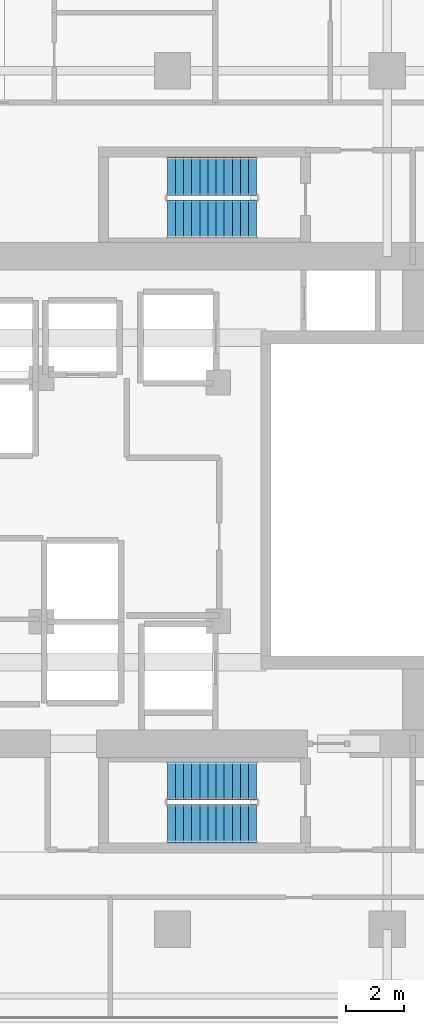
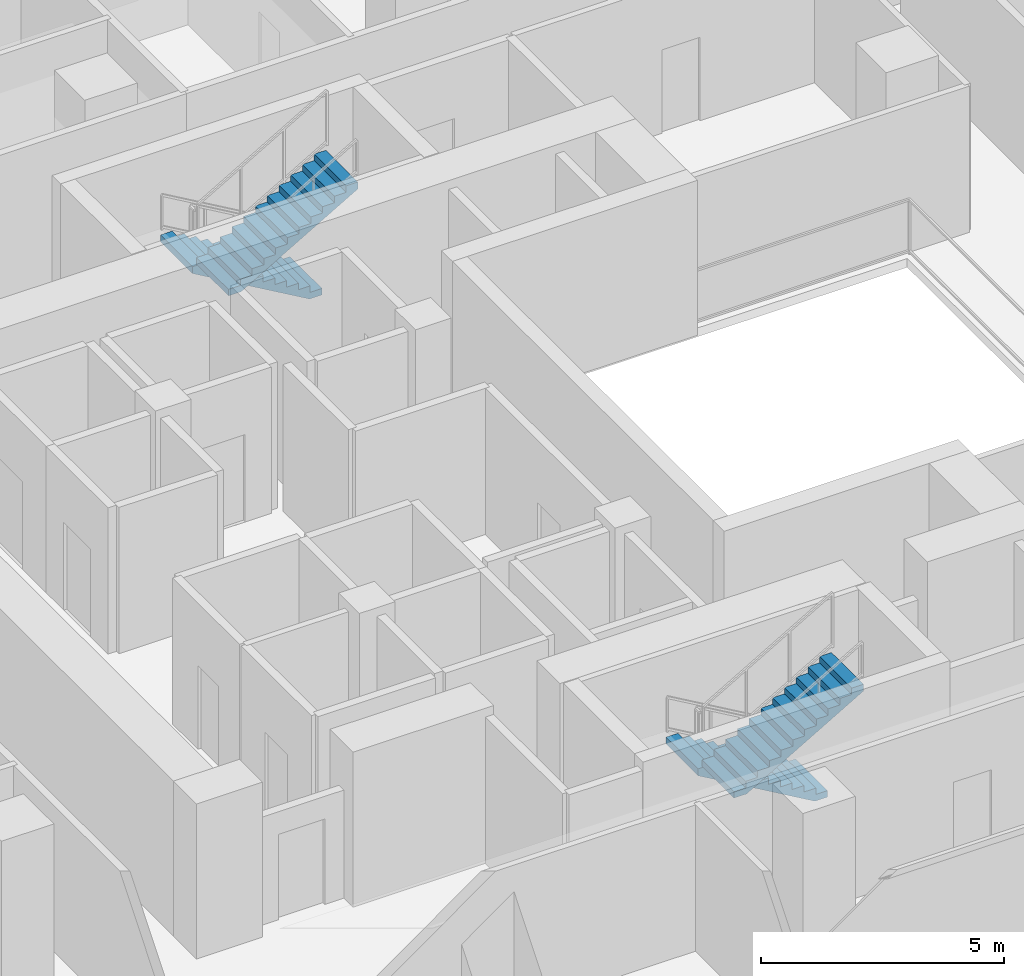
# One storey, part 24 of 27: 4 stair flights, 2 elements without a shape of their own.
"""IFC4 building model written with IfcOpenShell, lengths in metres."""

from ifc_helpers import new_model, si_unit, direction, frame, origin, place, context, subcontext, project, spatial, polyline, outline, extrude, material, type_object, element, aggregate, save


model = new_model("IFC4")

# Units and contexts
model_context = context("Model", 3, precision=1e-05, world=origin(), true_north=direction((0.0, 1.0)))
body_context = subcontext(model_context, "Body", "Model", "MODEL_VIEW")
ifc_project = project(units=[si_unit("LENGTHUNIT", "METRE"), si_unit("AREAUNIT", "SQUARE_METRE"), si_unit("VOLUMEUNIT", "CUBIC_METRE"), si_unit("PLANEANGLEUNIT", "RADIAN"), si_unit("MASSUNIT", "GRAM", prefix="KILO")], contexts=[model_context])

# Site, building, storey
site_placement = place(None, origin())
site = spatial("IfcSite", under=ifc_project, at=site_placement, CompositionType="ELEMENT")
building_placement = place(site_placement, origin())
building = spatial("IfcBuilding", under=site, at=building_placement, Name="Khorvyn Point Tower", CompositionType="ELEMENT")
storey_placement = place(building_placement, frame((0.0, 0.0, 129.0)))
storey = spatial("IfcBuildingStorey", under=building, at=storey_placement, Name="L32", CompositionType="ELEMENT", Elevation=129.0)

# Stair, stair flights
ifc_material = material(Name="Concrete C40/50", Category="concrete")
stair_type = type_object("IfcStairType", Name="Tower Concrete C40/50 Dogleg Exit Stair", PredefinedType="HALF_TURN_STAIR", material=ifc_material)
stair_1_placement = place(storey_placement, origin())
stair_1 = element("IfcStair", 1, at=stair_1_placement, inside=storey, type_object=stair_type, Name="L32 Tower Smokeproof Exit Stair South", PredefinedType="HALF_TURN_STAIR")
stair_flight_type = type_object("IfcStairFlightType", Name="Tower Concrete C40/50 Stair Flight", PredefinedType="STRAIGHT", material=ifc_material)
stair_flight_1_placement = place(storey_placement, frame((2.89990234375, -9.679931640625, 0.0), z_axis=(0.0, 0.0, 1.0), x_axis=(-1.0, 0.0, 0.0)))
stair_flight_1 = element("IfcStairFlight", 2, at=stair_flight_1_placement, type_object=stair_flight_type, Name="ST-01 flight 1", NumberOfRisers=12, NumberOfTreads=11, PredefinedType="STRAIGHT", RiserHeight=0.1625, TreadLength=0.28, context=body_context, shape_type="SweptSolid", body=[
    extrude(outline(polyline([(0.0, 0.0), (0.0, 0.16259765625), (0.280029296875, 0.16259765625), (0.280029296875, 0.324951171875), (0.56005859375, 0.324951171875), (0.56005859375, 0.487548828125), (0.840087890625, 0.487548828125), (0.840087890625, 0.64990234375), (1.1201171875, 0.64990234375), (1.1201171875, 0.8125), (1.39990234375, 0.8125), (1.39990234375, 0.97509765625), (1.679931640625, 0.97509765625), (1.679931640625, 1.137451171875), (1.9599609375, 1.137451171875), (1.9599609375, 1.300048828125), (2.239990234375, 1.300048828125), (2.239990234375, 1.46240234375), (2.52001953125, 1.46240234375), (2.52001953125, 1.625), (2.800048828125, 1.625), (2.800048828125, 1.78759765625), (3.080078125, 1.78759765625), (3.080078125, 1.949951171875), (3.080078125, 1.6142578125), (0.298583984375, 0.0), (0.0, 0.0)])), frame((0.0, 0.66015625, 0.0), z_axis=(0.0, -1.0, 0.0), x_axis=(1.0, 0.0, 0.0)), (0.0, 0.0, 1.0), 1.320068359375),
])
stair_flight_2_placement = place(storey_placement, frame((-0.179931640625, -11.159912109375, 1.949951171875), z_axis=(0.0, 0.0, 1.0), x_axis=(1.0, 0.0, 0.0)))
stair_flight_2 = element("IfcStairFlight", 3, at=stair_flight_2_placement, type_object=stair_flight_type, Name="ST-01 flight 2", NumberOfRisers=12, NumberOfTreads=11, PredefinedType="STRAIGHT", RiserHeight=0.1625, TreadLength=0.28, context=body_context, shape_type="SweptSolid", body=[
    extrude(outline(polyline([(0.0, 0.0), (0.0, 0.16259765625), (0.280029296875, 0.16259765625), (0.280029296875, 0.324951171875), (0.56005859375, 0.324951171875), (0.56005859375, 0.487548828125), (0.840087890625, 0.487548828125), (0.840087890625, 0.64990234375), (1.1201171875, 0.64990234375), (1.1201171875, 0.8125), (1.39990234375, 0.8125), (1.39990234375, 0.97509765625), (1.679931640625, 0.97509765625), (1.679931640625, 1.137451171875), (1.9599609375, 1.137451171875), (1.9599609375, 1.300048828125), (2.239990234375, 1.300048828125), (2.239990234375, 1.46240234375), (2.52001953125, 1.46240234375), (2.52001953125, 1.625), (2.800048828125, 1.625), (2.800048828125, 1.78759765625), (3.080078125, 1.78759765625), (3.080078125, 1.949951171875), (3.080078125, 1.6142578125), (0.298583984375, 0.0), (0.0, 0.0)])), frame((0.0, 0.66015625, 0.0), z_axis=(0.0, -1.0, 0.0), x_axis=(1.0, 0.0, 0.0)), (0.0, 0.0, 1.0), 1.320068359375),
])
aggregate(stair_1, [stair_flight_1, stair_flight_2])

stair_2_placement = place(storey_placement, origin())
stair_2 = element("IfcStair", 4, at=stair_2_placement, inside=storey, type_object=stair_type, Name="L32 Tower Smokeproof Exit Stair North", PredefinedType="HALF_TURN_STAIR")
stair_flight_3_placement = place(storey_placement, frame((2.89990234375, 11.159912109375, 0.0), z_axis=(0.0, 0.0, 1.0), x_axis=(-1.0, 0.0, 0.0)))
stair_flight_3 = element("IfcStairFlight", 5, at=stair_flight_3_placement, type_object=stair_flight_type, Name="ST-02 flight 1", NumberOfRisers=12, NumberOfTreads=11, PredefinedType="STRAIGHT", RiserHeight=0.1625, TreadLength=0.28, context=body_context, shape_type="SweptSolid", body=[
    extrude(outline(polyline([(0.0, 0.0), (0.0, 0.16259765625), (0.280029296875, 0.16259765625), (0.280029296875, 0.324951171875), (0.56005859375, 0.324951171875), (0.56005859375, 0.487548828125), (0.840087890625, 0.487548828125), (0.840087890625, 0.64990234375), (1.1201171875, 0.64990234375), (1.1201171875, 0.8125), (1.39990234375, 0.8125), (1.39990234375, 0.97509765625), (1.679931640625, 0.97509765625), (1.679931640625, 1.137451171875), (1.9599609375, 1.137451171875), (1.9599609375, 1.300048828125), (2.239990234375, 1.300048828125), (2.239990234375, 1.46240234375), (2.52001953125, 1.46240234375), (2.52001953125, 1.625), (2.800048828125, 1.625), (2.800048828125, 1.78759765625), (3.080078125, 1.78759765625), (3.080078125, 1.949951171875), (3.080078125, 1.6142578125), (0.298583984375, 0.0), (0.0, 0.0)])), frame((0.0, 0.66015625, 0.0), z_axis=(0.0, -1.0, 0.0), x_axis=(1.0, 0.0, 0.0)), (0.0, 0.0, 1.0), 1.320068359375),
])
stair_flight_4_placement = place(storey_placement, frame((-0.179931640625, 9.679931640625, 1.949951171875), z_axis=(0.0, 0.0, 1.0), x_axis=(1.0, 0.0, 0.0)))
stair_flight_4 = element("IfcStairFlight", 6, at=stair_flight_4_placement, type_object=stair_flight_type, Name="ST-02 flight 2", NumberOfRisers=12, NumberOfTreads=11, PredefinedType="STRAIGHT", RiserHeight=0.1625, TreadLength=0.28, context=body_context, shape_type="SweptSolid", body=[
    extrude(outline(polyline([(0.0, 0.0), (0.0, 0.16259765625), (0.280029296875, 0.16259765625), (0.280029296875, 0.324951171875), (0.56005859375, 0.324951171875), (0.56005859375, 0.487548828125), (0.840087890625, 0.487548828125), (0.840087890625, 0.64990234375), (1.1201171875, 0.64990234375), (1.1201171875, 0.8125), (1.39990234375, 0.8125), (1.39990234375, 0.97509765625), (1.679931640625, 0.97509765625), (1.679931640625, 1.137451171875), (1.9599609375, 1.137451171875), (1.9599609375, 1.300048828125), (2.239990234375, 1.300048828125), (2.239990234375, 1.46240234375), (2.52001953125, 1.46240234375), (2.52001953125, 1.625), (2.800048828125, 1.625), (2.800048828125, 1.78759765625), (3.080078125, 1.78759765625), (3.080078125, 1.949951171875), (3.080078125, 1.6142578125), (0.298583984375, 0.0), (0.0, 0.0)])), frame((0.0, 0.66015625, 0.0), z_axis=(0.0, -1.0, 0.0), x_axis=(1.0, 0.0, 0.0)), (0.0, 0.0, 1.0), 1.320068359375),
])
aggregate(stair_2, [stair_flight_3, stair_flight_4])

save(model, "model.ifc")
